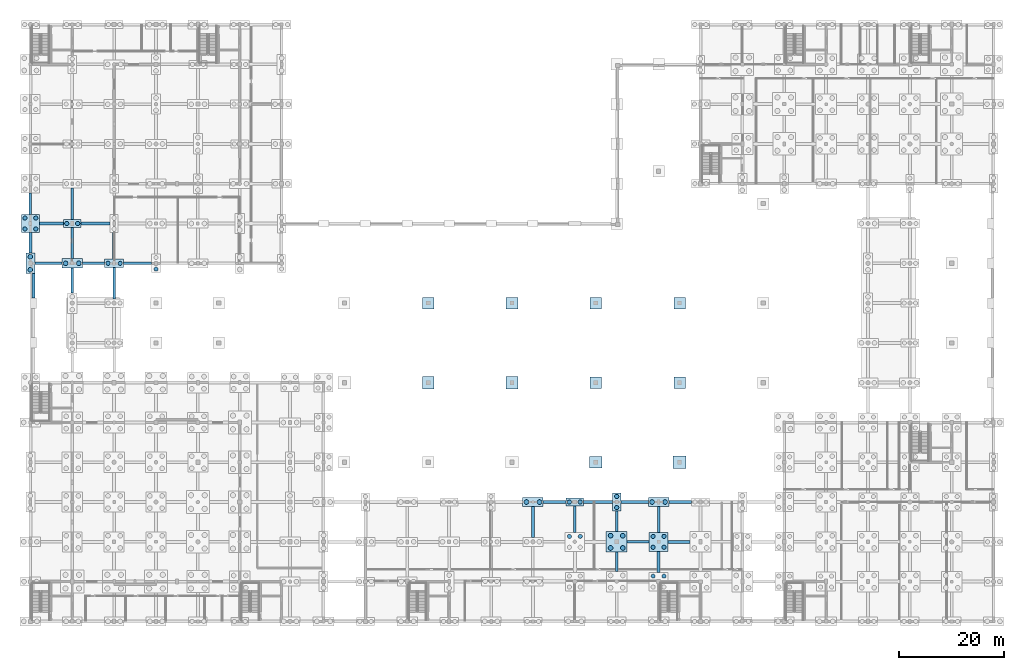
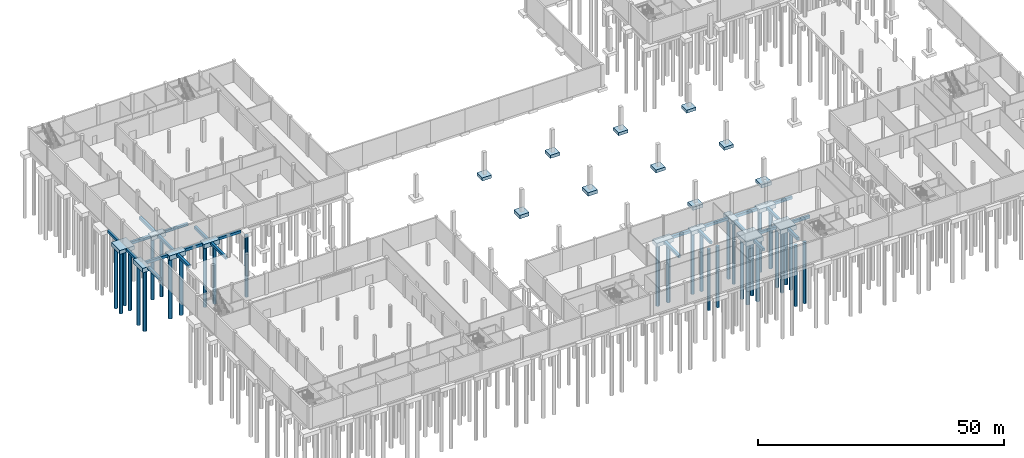
# One storey, part 7 of 44: 46 footings, 33 piles.
"""IFC4 building model written with IfcOpenShell, lengths in metres."""

import ifcopenshell
import ifcopenshell.guid

model = None  # the IFC model being written
_history = None  # IfcOwnerHistory: only IFC2X3 demands one
_inside = {}  # id of a spatial element -> (the spatial element, [elements in it])
_under = {}  # id of a project, library or spatial element -> (it, [spatial elements below it])
_declared = {}  # id of a project -> (the project, [libraries it declares])
_typed = {}  # id of a type object -> (the type object, [elements of that type])
_made_of = {}  # id of a material, layer set ... -> (it, [elements and type objects made of it])


def new_model(schema):
    """Start an empty IFC model of exactly this schema.

    Asked for "IFC4X3", IfcOpenShell would pick the latest addendum, in which some entities
    have other attributes; the version numbers below select the first issue.
    IFC2X3 requires an IfcOwnerHistory on every rooted entity: one is made here for all.
    """
    global model, _history
    if schema == "IFC4X3":
        model = ifcopenshell.file(schema_version=(4, 3, 0, 0))
    else:
        model = ifcopenshell.file(schema=schema)
    _inside.clear()
    _under.clear()
    _declared.clear()
    _typed.clear()
    _made_of.clear()
    _history = None
    if model.schema == "IFC2X3":
        org = make("IfcOrganization", Name="unknown")
        user = make(
            "IfcPersonAndOrganization",
            ThePerson=make("IfcPerson", FamilyName="unknown"),
            TheOrganization=org,
        )
        app = make(
            "IfcApplication",
            ApplicationDeveloper=org,
            Version="unknown",
            ApplicationFullName="unknown",
            ApplicationIdentifier="unknown",
        )
        _history = make(
            "IfcOwnerHistory",
            OwningUser=user,
            OwningApplication=app,
            ChangeAction="ADDED",
            CreationDate=0,
        )
    return model


def make(cls, **values):
    """One entity of the class cls with the attributes given. An attribute that is None is left unset."""
    return model.create_entity(
        cls, **{name: value for name, value in values.items() if value is not None}
    )


def rooted(cls, **values):
    """An entity with a GlobalId (a new one), such as an element, a storey or a relation."""
    return make(cls, GlobalId=ifcopenshell.guid.new(), OwnerHistory=_history, **values)


def si_unit(unit_type, name, prefix=None):
    """IfcSIUnit, for example si_unit("LENGTHUNIT", "METRE", prefix="MILLI")."""
    return make("IfcSIUnit", UnitType=unit_type, Prefix=prefix, Name=name)


def assignment(units):
    """IfcUnitAssignment: the units of a project."""
    return None if units is None else make("IfcUnitAssignment", Units=units)


def point(xyz):
    """IfcCartesianPoint."""
    return None if xyz is None else make("IfcCartesianPoint", Coordinates=xyz)


def direction(xyz):
    """IfcDirection."""
    return None if xyz is None else make("IfcDirection", DirectionRatios=xyz)


def frame(location, z_axis=None, x_axis=None):
    """IfcAxis2Placement3D, a coordinate frame: its origin and axes. An axis left out is left unset."""
    return make(
        "IfcAxis2Placement3D",
        Location=point(location),
        Axis=direction(z_axis),
        RefDirection=direction(x_axis),
    )


def frame_2d(location, x_axis=None):
    """IfcAxis2Placement2D, a coordinate frame in the plane: its origin and x axis."""
    return make(
        "IfcAxis2Placement2D", Location=point(location), RefDirection=direction(x_axis)
    )


def origin():
    """The frame at (0, 0, 0) with its axes left unset."""
    return frame((0.0, 0.0, 0.0))


def origin_2d():
    """The frame at (0, 0) in the plane with its x axis left unset."""
    return frame_2d((0.0, 0.0))


def place(relative_to, where):
    """IfcLocalPlacement: puts the frame where relative to a parent placement (None: the world)."""
    return make(
        "IfcLocalPlacement", PlacementRelTo=relative_to, RelativePlacement=where
    )


def context(
    kind, dimensions, precision=None, world=None, true_north=None, identifier=None
):
    """IfcGeometricRepresentationContext, for example the 3D "Model" context."""
    return make(
        "IfcGeometricRepresentationContext",
        ContextIdentifier=identifier,
        ContextType=kind,
        CoordinateSpaceDimension=dimensions,
        Precision=precision,
        WorldCoordinateSystem=world,
        TrueNorth=true_north,
    )


def subcontext(parent, identifier, kind, view, scale=None):
    """IfcGeometricRepresentationSubContext, for example "Body" below "Model"."""
    return make(
        "IfcGeometricRepresentationSubContext",
        ContextIdentifier=identifier,
        ContextType=kind,
        ParentContext=parent,
        TargetScale=scale,
        TargetView=view,
    )


def project(units=None, contexts=None):
    """IfcProject with its units and contexts."""
    return rooted(
        "IfcProject",
        Name="project",
        RepresentationContexts=contexts,
        UnitsInContext=assignment(units),
    )


def spatial(cls, under=None, at=None, **own):
    """A site, building, storey or space (cls), placed at a placement, below another one or the project."""
    s = rooted(cls, ObjectPlacement=at, **own)
    if under is not None:
        _under.setdefault(under.id(), (under, []))[1].append(s)
    return s


def polyline(points):
    """IfcPolyline through the points."""
    return make("IfcPolyline", Points=[point(p) for p in points])


def profile(cls, at=None, kind="AREA", **sizes):
    """A parametric profile (cls). Its sizes go by their IFC names, for example OverallWidth=200.0."""
    return make(cls, ProfileType=kind, Position=at, **sizes)


def circle(**sizes):
    """IfcCircleProfileDef."""
    return profile("IfcCircleProfileDef", **sizes)


def outline(outer, holes=None, kind="AREA"):
    """IfcArbitraryClosedProfileDef: a profile drawn as a closed curve; with holes, ...WithVoids."""
    if holes is None:
        return make("IfcArbitraryClosedProfileDef", ProfileType=kind, OuterCurve=outer)
    return make(
        "IfcArbitraryProfileDefWithVoids",
        ProfileType=kind,
        OuterCurve=outer,
        InnerCurves=holes,
    )


def extrude(swept, where, along, depth):
    """IfcExtrudedAreaSolid: the profile swept, set in the frame where, extruded along a direction by depth."""
    return make(
        "IfcExtrudedAreaSolid",
        SweptArea=swept,
        Position=where,
        ExtrudedDirection=direction(along),
        Depth=depth,
    )


def shape(context_of_items, identifier, shape_type, items):
    """IfcShapeRepresentation: the items that make up one representation, for example the "Body"."""
    return make(
        "IfcShapeRepresentation",
        ContextOfItems=context_of_items,
        RepresentationIdentifier=identifier,
        RepresentationType=shape_type,
        Items=items,
    )


def material(Name=None, Category=None):
    """IfcMaterial."""
    return make("IfcMaterial", Name=Name, Category=Category)


def material_profile(
    of_material, cross_section, Name=None, Category=None, Priority=None
):
    """IfcMaterialProfile: a cross section and its material."""
    return make(
        "IfcMaterialProfile",
        Name=Name,
        Material=of_material,
        Profile=cross_section,
        Priority=Priority,
        Category=Category,
    )


def profile_set(profiles, Name=None, composite=None):
    """IfcMaterialProfileSet."""
    return make(
        "IfcMaterialProfileSet",
        Name=Name,
        MaterialProfiles=profiles,
        CompositeProfile=composite,
    )


def made_of(thing, what):
    """Note that an element or type object is made of a material, layer set ...; save() writes the relation."""
    if what is not None:
        _made_of.setdefault(what.id(), (what, []))[1].append(thing)
    return thing


def type_object(cls, material=None, **own):
    """A type object (cls), such as IfcWallType, which elements share."""
    return made_of(rooted(cls, **own), material)


def element(
    cls,
    number,
    at=None,
    inside=None,
    cuts=None,
    type_object=None,
    material=None,
    context=None,
    identifier="Body",
    shape_type=None,
    held_by="IfcProductDefinitionShape",
    body=None,
    shapes=None,
    **own,
):
    """One element of the class cls, such as IfcWall. Its Tag is "e" and its number.

    at: its placement. inside: the storey or other place that contains it. cuts: it is an
    opening in that element (IfcRelVoidsElement). A single representation is given by context,
    identifier, shape_type and body (its items); several are given by shapes. held_by: the class
    of the entity that holds the representations. save() writes the other relations.
    """
    e = rooted(cls, Tag="e%d" % number, ObjectPlacement=at, **own)
    if body is not None:
        shapes = [shape(context, identifier, shape_type, body)]
    if shapes is not None:
        e.Representation = make(held_by, Representations=shapes)
    if inside is not None:
        _inside.setdefault(inside.id(), (inside, []))[1].append(e)
    if cuts is not None:
        rooted(
            "IfcRelVoidsElement", RelatingBuildingElement=cuts, RelatedOpeningElement=e
        )
    if type_object is not None:
        _typed.setdefault(type_object.id(), (type_object, []))[1].append(e)
    return made_of(e, material)


def aggregate(whole, parts):
    """IfcRelAggregates: a whole, such as a stair, and the parts it consists of."""
    return rooted("IfcRelAggregates", RelatingObject=whole, RelatedObjects=parts)


def save(model, path):
    """Write the relations noted so far, then the file.

    IfcRelAggregates (storeys below a building ...), IfcRelContainedInSpatialStructure (elements
    in a storey), IfcRelDefinesByType, IfcRelAssociatesMaterial and IfcRelDeclares: one each for
    every whole, place, type object, material and project.
    """
    for whole, parts in _under.values():
        aggregate(whole, parts)
    for where, things in _inside.values():
        rooted(
            "IfcRelContainedInSpatialStructure",
            RelatedElements=things,
            RelatingStructure=where,
        )
    for kind, things in _typed.values():
        rooted("IfcRelDefinesByType", RelatedObjects=things, RelatingType=kind)
    for what, things in _made_of.values():
        rooted("IfcRelAssociatesMaterial", RelatedObjects=things, RelatingMaterial=what)
    for by, libraries in _declared.values():
        rooted("IfcRelDeclares", RelatingContext=by, RelatedDefinitions=libraries)
    model.write(path)


model = new_model("IFC4")

# Units and contexts
model_context = context("Model", 3, precision=1e-05, world=origin(), true_north=direction((0.0, 1.0)))
body_context = subcontext(model_context, "Body", "Model", "MODEL_VIEW")
ifc_project = project(units=[si_unit("LENGTHUNIT", "METRE"), si_unit("AREAUNIT", "SQUARE_METRE"), si_unit("VOLUMEUNIT", "CUBIC_METRE"), si_unit("PLANEANGLEUNIT", "RADIAN"), si_unit("MASSUNIT", "GRAM", prefix="KILO")], contexts=[model_context])

# Site, building, storey
site_placement = place(None, origin())
site = spatial("IfcSite", under=ifc_project, at=site_placement, CompositionType="ELEMENT")
building_placement = place(site_placement, origin())
building = spatial("IfcBuilding", under=site, at=building_placement, Name="Khelvaren Railside Concert Hall", CompositionType="ELEMENT")
storey_placement = place(building_placement, frame((0.0, 0.0, -5.39990234375)))
storey = spatial("IfcBuildingStorey", under=building, at=storey_placement, Name="B1", CompositionType="ELEMENT", Elevation=-5.39990234375)

# Piles
ifc_material = material(Name="Concrete C35/45", Category="concrete")
ifc_material_profile_1 = material_profile(ifc_material, circle(Radius=0.449951171875, at=origin_2d()), Name="BP D900")
ifc_profile_set_1 = profile_set([ifc_material_profile_1], Name="Concrete C35/45")
pile_type_1 = type_object("IfcPileType", Name="BP51", PredefinedType="BORED", material=ifc_profile_set_1)
for number, where, z_axis, x_axis, name in (
    (1, (0.0, 67.159912109375, -1.5), (0.0, 0.0, -1.0), (1.0, 0.0, 0.0), "Bored Pile BP51 PC-V4-007-1"),
    (2, (0.0, 69.639892578125, -1.5), (0.0, 0.0, -1.0), (1.0, 0.0, 0.0), "Bored Pile BP51 PC-V4-007-2"),
    (3, (6.72998046875, 68.39990234375, -1.5), (0.0, 0.0, -1.0), (1.0, 0.0, 0.0), "Bored Pile BP51 PC-V4-023-1"),
    (4, (9.27001953125, 68.39990234375, -1.5), (0.0, 0.0, -1.0), (1.0, 0.0, 0.0), "Bored Pile BP51 PC-V4-023-2"),
):
    element("IfcPile", number, at=place(storey_placement, frame(where, z_axis=z_axis, x_axis=x_axis)), inside=storey, type_object=pile_type_1, Name=name, PredefinedType="BORED", context=body_context, shape_type="SweptSolid", body=[
        extrude(circle(Radius=0.449951171875, at=origin_2d()), origin(), (0.0, 0.0, 1.0), 15.10009765625),
    ])
for number, where, z_axis, x_axis, name in (
    (5, (94.75, 22.800048828125, -1.35009765625), (0.0, 0.0, -1.0), (1.0, 0.0, 0.0), "Bored Pile BP51 PC-V3-128-1"),
    (6, (97.25, 22.800048828125, -1.35009765625), (0.0, 0.0, -1.0), (1.0, 0.0, 0.0), "Bored Pile BP51 PC-V3-128-2"),
):
    element("IfcPile", number, at=place(storey_placement, frame(where, z_axis=z_axis, x_axis=x_axis)), inside=storey, type_object=pile_type_1, Name=name, PredefinedType="BORED", context=body_context, shape_type="SweptSolid", body=[
        extrude(circle(Radius=0.449951171875, at=origin_2d()), origin(), (0.0, 0.0, 1.0), 15.25),
    ])
for number, where, z_axis, x_axis, name in (
    (7, (110.830078125, 14.030029296875, -1.5), (0.0, 0.0, -1.0), (1.0, 0.0, 0.0), "Bored Pile BP51 PC-V3-135-1"),
    (8, (113.169921875, 14.030029296875, -1.5), (0.0, 0.0, -1.0), (1.0, 0.0, 0.0), "Bored Pile BP51 PC-V3-135-2"),
    (9, (110.830078125, 16.3701171875, -1.5), (0.0, 0.0, -1.0), (1.0, 0.0, 0.0), "Bored Pile BP51 PC-V3-135-3"),
    (10, (113.169921875, 16.3701171875, -1.5), (0.0, 0.0, -1.0), (1.0, 0.0, 0.0), "Bored Pile BP51 PC-V3-135-4"),
):
    element("IfcPile", number, at=place(storey_placement, frame(where, z_axis=z_axis, x_axis=x_axis)), inside=storey, type_object=pile_type_1, Name=name, PredefinedType="BORED", context=body_context, shape_type="SweptSolid", body=[
        extrude(circle(Radius=0.449951171875, at=origin_2d()), origin(), (0.0, 0.0, 1.0), 15.10009765625),
    ])
for number, where, z_axis, x_axis, name in (
    (11, (118.75, 22.800048828125, -1.35009765625), (0.0, 0.0, -1.0), (1.0, 0.0, 0.0), "Bored Pile BP51 PC-V3-140-1"),
    (12, (121.25, 22.800048828125, -1.35009765625), (0.0, 0.0, -1.0), (1.0, 0.0, 0.0), "Bored Pile BP51 PC-V3-140-2"),
):
    element("IfcPile", number, at=place(storey_placement, frame(where, z_axis=z_axis, x_axis=x_axis)), inside=storey, type_object=pile_type_1, Name=name, PredefinedType="BORED", context=body_context, shape_type="SweptSolid", body=[
        extrude(circle(Radius=0.449951171875, at=origin_2d()), origin(), (0.0, 0.0, 1.0), 15.25),
    ])
ifc_material_profile_2 = material_profile(ifc_material, circle(Radius=0.39990234375, at=origin_2d()), Name="BP D800")
ifc_profile_set_2 = profile_set([ifc_material_profile_2], Name="Concrete C35/45")
pile_type_2 = type_object("IfcPileType", Name="BP84", PredefinedType="BORED", material=ifc_profile_set_2)
for number, where, z_axis, x_axis, name in (
    (13, (-1.0400390625, 74.9599609375, -1.35009765625), (0.0, 0.0, -1.0), (1.0, 0.0, 0.0), "Bored Pile BP84 PC-V4-008-1"),
    (14, (1.0400390625, 74.9599609375, -1.35009765625), (0.0, 0.0, -1.0), (1.0, 0.0, 0.0), "Bored Pile BP84 PC-V4-008-2"),
    (15, (-1.0400390625, 77.0400390625, -1.35009765625), (0.0, 0.0, -1.0), (1.0, 0.0, 0.0), "Bored Pile BP84 PC-V4-008-3"),
    (16, (1.0400390625, 77.0400390625, -1.35009765625), (0.0, 0.0, -1.0), (1.0, 0.0, 0.0), "Bored Pile BP84 PC-V4-008-4"),
    (17, (6.9599609375, 76.0, -1.35009765625), (0.0, 0.0, -1.0), (1.0, 0.0, 0.0), "Bored Pile BP84 PC-V4-024-1"),
    (18, (9.0400390625, 76.0, -1.35009765625), (0.0, 0.0, -1.0), (1.0, 0.0, 0.0), "Bored Pile BP84 PC-V4-024-2"),
):
    element("IfcPile", number, at=place(storey_placement, frame(where, z_axis=z_axis, x_axis=x_axis)), inside=storey, type_object=pile_type_2, Name=name, PredefinedType="BORED", context=body_context, shape_type="SweptSolid", body=[
        extrude(circle(Radius=0.39990234375, at=origin_2d()), origin(), (0.0, 0.0, 1.0), 15.25),
    ])
for number, where, z_axis, x_axis, name in (
    (19, (14.840087890625, 68.39990234375, -1.5), (0.0, 0.0, -1.0), (1.0, 0.0, 0.0), "Bored Pile BP84 PC-V4-039-1"),
    (20, (17.159912109375, 68.39990234375, -1.5), (0.0, 0.0, -1.0), (1.0, 0.0, 0.0), "Bored Pile BP84 PC-V4-039-2"),
):
    element("IfcPile", number, at=place(storey_placement, frame(where, z_axis=z_axis, x_axis=x_axis)), inside=storey, type_object=pile_type_2, Name=name, PredefinedType="BORED", context=body_context, shape_type="SweptSolid", body=[
        extrude(circle(Radius=0.39990234375, at=origin_2d()), origin(), (0.0, 0.0, 1.0), 15.10009765625),
    ])
pile_placement = place(storey_placement, frame((24.0, 67.2900390625, -1.400146484375), z_axis=(0.0, 0.0, -1.0), x_axis=(1.0, 0.0, 0.0)))
element("IfcPile", 21, at=pile_placement, inside=storey, type_object=pile_type_2, Name="Bored Pile BP84 PC-V4-053-1", PredefinedType="BORED", context=body_context, shape_type="SweptSolid", body=[
    extrude(circle(Radius=0.39990234375, at=origin_2d()), origin(), (0.0, 0.0, 1.0), 15.199951171875),
])
for number, where, z_axis, x_axis, name in (
    (22, (102.9599609375, 16.239990234375, -1.5), (0.0, 0.0, -1.0), (1.0, 0.0, 0.0), "Bored Pile BP84 PC-V3-131-3"),
    (23, (105.0400390625, 16.239990234375, -1.5), (0.0, 0.0, -1.0), (1.0, 0.0, 0.0), "Bored Pile BP84 PC-V3-131-4"),
):
    element("IfcPile", number, at=place(storey_placement, frame(where, z_axis=z_axis, x_axis=x_axis)), inside=storey, type_object=pile_type_2, Name=name, PredefinedType="BORED", context=body_context, shape_type="SweptSolid", body=[
        extrude(circle(Radius=0.39990234375, at=origin_2d()), origin(), (0.0, 0.0, 1.0), 15.10009765625),
    ])
for number, where, z_axis, x_axis, name in (
    (24, (102.9599609375, 22.800048828125, -1.35009765625), (0.0, 0.0, -1.0), (1.0, 0.0, 0.0), "Bored Pile BP84 PC-V3-132-1"),
    (25, (105.0400390625, 22.800048828125, -1.35009765625), (0.0, 0.0, -1.0), (1.0, 0.0, 0.0), "Bored Pile BP84 PC-V3-132-2"),
    (26, (112.0, 21.739990234375, -1.35009765625), (0.0, 0.0, -1.0), (1.0, 0.0, 0.0), "Bored Pile BP84 PC-V3-136-1"),
    (27, (112.0, 23.860107421875, -1.35009765625), (0.0, 0.0, -1.0), (1.0, 0.0, 0.0), "Bored Pile BP84 PC-V3-136-2"),
):
    element("IfcPile", number, at=place(storey_placement, frame(where, z_axis=z_axis, x_axis=x_axis)), inside=storey, type_object=pile_type_2, Name=name, PredefinedType="BORED", context=body_context, shape_type="SweptSolid", body=[
        extrude(circle(Radius=0.39990234375, at=origin_2d()), origin(), (0.0, 0.0, 1.0), 15.25),
    ])
for number, where, z_axis, x_axis, name in (
    (28, (118.9599609375, 8.639892578125, -1.4501953125), (0.0, 0.0, -1.0), (1.0, 0.0, 0.0), "Bored Pile BP84 PC-V3-138-3"),
    (29, (121.0400390625, 8.639892578125, -1.4501953125), (0.0, 0.0, -1.0), (1.0, 0.0, 0.0), "Bored Pile BP84 PC-V3-138-4"),
):
    element("IfcPile", number, at=place(storey_placement, frame(where, z_axis=z_axis, x_axis=x_axis)), inside=storey, type_object=pile_type_2, Name=name, PredefinedType="BORED", context=body_context, shape_type="SweptSolid", body=[
        extrude(circle(Radius=0.39990234375, at=origin_2d()), origin(), (0.0, 0.0, 1.0), 15.14990234375),
    ])
for number, where, z_axis, x_axis, name in (
    (30, (118.9599609375, 14.159912109375, -1.5), (0.0, 0.0, -1.0), (1.0, 0.0, 0.0), "Bored Pile BP84 PC-V3-139-1"),
    (31, (121.0400390625, 14.159912109375, -1.5), (0.0, 0.0, -1.0), (1.0, 0.0, 0.0), "Bored Pile BP84 PC-V3-139-2"),
    (32, (118.9599609375, 16.239990234375, -1.5), (0.0, 0.0, -1.0), (1.0, 0.0, 0.0), "Bored Pile BP84 PC-V3-139-3"),
    (33, (121.0400390625, 16.239990234375, -1.5), (0.0, 0.0, -1.0), (1.0, 0.0, 0.0), "Bored Pile BP84 PC-V3-139-4"),
):
    element("IfcPile", number, at=place(storey_placement, frame(where, z_axis=z_axis, x_axis=x_axis)), inside=storey, type_object=pile_type_2, Name=name, PredefinedType="BORED", context=body_context, shape_type="SweptSolid", body=[
        extrude(circle(Radius=0.39990234375, at=origin_2d()), origin(), (0.0, 0.0, 1.0), 15.10009765625),
    ])

# Footings
footing_type_1 = type_object("IfcFootingType", Name="GB49", PredefinedType="FOOTING_BEAM", material=ifc_material)
footing_1_placement = place(storey_placement, frame((0.0, 0.0, -1.150146484375)))
element("IfcFooting", 34, at=footing_1_placement, inside=storey, type_object=footing_type_1, Name="Ground Tie Beam GB49 61", PredefinedType="FOOTING_BEAM", context=body_context, shape_type="SweptSolid", body=[
    extrude(outline(polyline([(114.0, 14.949951171875), (118.159912109375, 14.949951171875), (118.159912109375, 15.449951171875), (114.0, 15.449951171875), (114.0, 14.949951171875)])), origin(), (0.0, 0.0, 1.0), 0.650146484375),
])
footing_2_placement = place(storey_placement, frame((0.0, 0.0, -1.150146484375)))
element("IfcFooting", 35, at=footing_2_placement, inside=storey, type_object=footing_type_1, Name="Ground Tie Beam GB49 83", PredefinedType="FOOTING_BEAM", context=body_context, shape_type="SweptSolid", body=[
    extrude(outline(polyline([(105.699951171875, 22.550048828125), (111.22509765625, 22.550048828125), (111.22509765625, 23.050048828125), (105.699951171875, 23.050048828125), (105.699951171875, 22.550048828125)])), origin(), (0.0, 0.0, 1.0), 0.650146484375),
])
footing_3_placement = place(storey_placement, frame((0.0, 0.0, -1.150146484375)))
element("IfcFooting", 36, at=footing_3_placement, inside=storey, type_object=footing_type_1, Name="Ground Tie Beam GB49 85", PredefinedType="FOOTING_BEAM", context=body_context, shape_type="SweptSolid", body=[
    extrude(outline(polyline([(121.9599609375, 22.550048828125), (126.300048828125, 22.550048828125), (126.300048828125, 23.050048828125), (121.9599609375, 23.050048828125), (121.9599609375, 22.550048828125)])), origin(), (0.0, 0.0, 1.0), 0.650146484375),
])
footing_4_placement = place(storey_placement, frame((0.0, 0.0, -1.150146484375)))
element("IfcFooting", 37, at=footing_4_placement, inside=storey, type_object=footing_type_1, Name="Ground Tie Beam GB49 129", PredefinedType="FOOTING_BEAM", context=body_context, shape_type="SweptSolid", body=[
    extrude(outline(polyline([(0.875, 68.14990234375), (6.02001953125, 68.14990234375), (6.02001953125, 68.64990234375), (0.875, 68.64990234375), (0.875, 68.14990234375)])), origin(), (0.0, 0.0, 1.0), 0.650146484375),
])
footing_5_placement = place(storey_placement, frame((0.0, 0.0, -1.150146484375)))
element("IfcFooting", 38, at=footing_5_placement, inside=storey, type_object=footing_type_1, Name="Ground Tie Beam GB49 131", PredefinedType="FOOTING_BEAM", context=body_context, shape_type="SweptSolid", body=[
    extrude(outline(polyline([(17.820068359375, 68.14990234375), (23.175048828125, 68.14990234375), (23.175048828125, 68.64990234375), (17.820068359375, 68.64990234375), (17.820068359375, 68.14990234375)])), origin(), (0.0, 0.0, 1.0), 0.650146484375),
])
footing_6_placement = place(storey_placement, frame((0.0, 0.0, -1.150146484375)))
element("IfcFooting", 39, at=footing_6_placement, inside=storey, type_object=footing_type_1, Name="Ground Tie Beam GB49 137", PredefinedType="FOOTING_BEAM", context=body_context, shape_type="SweptSolid", body=[
    extrude(outline(polyline([(9.699951171875, 75.75), (15.22509765625, 75.75), (15.22509765625, 76.25), (9.699951171875, 76.25), (9.699951171875, 75.75)])), origin(), (0.0, 0.0, 1.0), 0.650146484375),
])
footing_7_placement = place(storey_placement, frame((0.0, 0.0, -1.150146484375)))
element("IfcFooting", 40, at=footing_7_placement, inside=storey, type_object=footing_type_1, Name="Ground Tie Beam GB49 215", PredefinedType="FOOTING_BEAM", context=body_context, shape_type="SweptSolid", body=[
    extrude(outline(polyline([(-0.25, 77.719970703125), (0.25, 77.719970703125), (0.25, 81.860107421875), (-0.25, 81.860107421875), (-0.25, 77.719970703125)])), origin(), (0.0, 0.0, 1.0), 0.650146484375),
])
footing_8_placement = place(storey_placement, frame((0.0, 0.0, -1.150146484375)))
element("IfcFooting", 41, at=footing_8_placement, inside=storey, type_object=footing_type_1, Name="Ground Tie Beam GB49 229", PredefinedType="FOOTING_BEAM", context=body_context, shape_type="SweptSolid", body=[
    extrude(outline(polyline([(7.75, 69.27490234375), (8.25, 69.27490234375), (8.25, 75.25), (7.75, 75.25), (7.75, 69.27490234375)])), origin(), (0.0, 0.0, 1.0), 0.650146484375),
])
footing_9_placement = place(storey_placement, frame((0.0, 0.0, -1.150146484375)))
element("IfcFooting", 42, at=footing_9_placement, inside=storey, type_object=footing_type_1, Name="Ground Tie Beam GB49 243", PredefinedType="FOOTING_BEAM", context=body_context, shape_type="SweptSolid", body=[
    extrude(outline(polyline([(15.75, 61.60009765625), (16.25, 61.60009765625), (16.25, 67.574951171875), (15.75, 67.574951171875), (15.75, 61.60009765625)])), origin(), (0.0, 0.0, 1.0), 0.650146484375),
])
footing_10_placement = place(storey_placement, frame((0.0, 0.0, -1.150146484375)))
element("IfcFooting", 43, at=footing_10_placement, inside=storey, type_object=footing_type_1, Name="Ground Tie Beam GB49 321", PredefinedType="FOOTING_BEAM", context=body_context, shape_type="SweptSolid", body=[
    extrude(outline(polyline([(103.75, 17.02001953125), (104.25, 17.02001953125), (104.25, 22.050048828125), (103.75, 22.050048828125), (103.75, 17.02001953125)])), origin(), (0.0, 0.0, 1.0), 0.650146484375),
])
footing_11_placement = place(storey_placement, frame((0.0, 0.0, -1.150146484375)))
element("IfcFooting", 44, at=footing_11_placement, inside=storey, type_object=footing_type_1, Name="Ground Tie Beam GB49 323", PredefinedType="FOOTING_BEAM", context=body_context, shape_type="SweptSolid", body=[
    extrude(outline(polyline([(111.75, 9.56005859375), (112.25, 9.56005859375), (112.25, 13.219970703125), (111.75, 13.219970703125), (111.75, 9.56005859375)])), origin(), (0.0, 0.0, 1.0), 0.650146484375),
])
footing_12_placement = place(storey_placement, frame((0.0, 0.0, -1.150146484375)))
element("IfcFooting", 45, at=footing_12_placement, inside=storey, type_object=footing_type_1, Name="Ground Tie Beam GB49 327", PredefinedType="FOOTING_BEAM", context=body_context, shape_type="SweptSolid", body=[
    extrude(outline(polyline([(119.75, 17.02001953125), (120.25, 17.02001953125), (120.25, 21.925048828125), (119.75, 21.925048828125), (119.75, 17.02001953125)])), origin(), (0.0, 0.0, 1.0), 0.650146484375),
])
footing_type_2 = type_object("IfcFootingType", Name="GB57", PredefinedType="FOOTING_BEAM", material=ifc_material)
footing_13_placement = place(storey_placement, frame((0.0, 0.0, -1.2001953125)))
element("IfcFooting", 46, at=footing_13_placement, inside=storey, type_object=footing_type_2, Name="Ground Tie Beam GB57 62", PredefinedType="FOOTING_BEAM", context=body_context, shape_type="SweptSolid", body=[
    extrude(outline(polyline([(121.840087890625, 14.925048828125), (126.0, 14.925048828125), (126.0, 15.47509765625), (121.840087890625, 15.47509765625), (121.840087890625, 14.925048828125)])), origin(), (0.0, 0.0, 1.0), 0.7001953125),
])
footing_14_placement = place(storey_placement, frame((0.0, 0.0, -1.2001953125)))
element("IfcFooting", 47, at=footing_14_placement, inside=storey, type_object=footing_type_2, Name="Ground Tie Beam GB57 82", PredefinedType="FOOTING_BEAM", context=body_context, shape_type="SweptSolid", body=[
    extrude(outline(polyline([(97.9599609375, 22.52490234375), (102.300048828125, 22.52490234375), (102.300048828125, 23.074951171875), (97.9599609375, 23.074951171875), (97.9599609375, 22.52490234375)])), origin(), (0.0, 0.0, 1.0), 0.7001953125),
])
footing_15_placement = place(storey_placement, frame((0.0, 0.0, -1.2001953125)))
element("IfcFooting", 48, at=footing_15_placement, inside=storey, type_object=footing_type_2, Name="Ground Tie Beam GB57 84", PredefinedType="FOOTING_BEAM", context=body_context, shape_type="SweptSolid", body=[
    extrude(outline(polyline([(112.77490234375, 22.52490234375), (118.0400390625, 22.52490234375), (118.0400390625, 23.074951171875), (112.77490234375, 23.074951171875), (112.77490234375, 22.52490234375)])), origin(), (0.0, 0.0, 1.0), 0.7001953125),
])
footing_16_placement = place(storey_placement, frame((0.0, 0.0, -1.2001953125)))
element("IfcFooting", 49, at=footing_16_placement, inside=storey, type_object=footing_type_2, Name="Ground Tie Beam GB57 130", PredefinedType="FOOTING_BEAM", context=body_context, shape_type="SweptSolid", body=[
    extrude(outline(polyline([(9.97998046875, 68.125), (14.179931640625, 68.125), (14.179931640625, 68.675048828125), (9.97998046875, 68.675048828125), (9.97998046875, 68.125)])), origin(), (0.0, 0.0, 1.0), 0.7001953125),
])
footing_17_placement = place(storey_placement, frame((0.0, 0.0, -1.2001953125)))
element("IfcFooting", 50, at=footing_17_placement, inside=storey, type_object=footing_type_2, Name="Ground Tie Beam GB57 136", PredefinedType="FOOTING_BEAM", context=body_context, shape_type="SweptSolid", body=[
    extrude(outline(polyline([(1.719970703125, 75.72509765625), (6.300048828125, 75.72509765625), (6.300048828125, 76.27490234375), (1.719970703125, 76.27490234375), (1.719970703125, 75.72509765625)])), origin(), (0.0, 0.0, 1.0), 0.7001953125),
])
footing_18_placement = place(storey_placement, frame((0.0, 0.0, -1.2001953125)))
element("IfcFooting", 51, at=footing_18_placement, inside=storey, type_object=footing_type_2, Name="Ground Tie Beam GB57 214", PredefinedType="FOOTING_BEAM", context=body_context, shape_type="SweptSolid", body=[
    extrude(outline(polyline([(-0.27490234375, 70.35009765625), (0.27490234375, 70.35009765625), (0.27490234375, 74.280029296875), (-0.27490234375, 74.280029296875), (-0.27490234375, 70.35009765625)])), origin(), (0.0, 0.0, 1.0), 0.7001953125),
])
footing_19_placement = place(storey_placement, frame((0.0, 0.0, -1.2001953125)))
element("IfcFooting", 52, at=footing_19_placement, inside=storey, type_object=footing_type_2, Name="Ground Tie Beam GB57 228", PredefinedType="FOOTING_BEAM", context=body_context, shape_type="SweptSolid", body=[
    extrude(outline(polyline([(7.72509765625, 62.75), (8.27490234375, 62.75), (8.27490234375, 67.52490234375), (7.72509765625, 67.52490234375), (7.72509765625, 62.75)])), origin(), (0.0, 0.0, 1.0), 0.7001953125),
])
footing_20_placement = place(storey_placement, frame((0.0, 0.0, -1.2001953125)))
element("IfcFooting", 53, at=footing_20_placement, inside=storey, type_object=footing_type_2, Name="Ground Tie Beam GB57 230", PredefinedType="FOOTING_BEAM", context=body_context, shape_type="SweptSolid", body=[
    extrude(outline(polyline([(7.72509765625, 76.75), (8.27490234375, 76.75), (8.27490234375, 82.824951171875), (7.72509765625, 82.824951171875), (7.72509765625, 76.75)])), origin(), (0.0, 0.0, 1.0), 0.7001953125),
])
footing_21_placement = place(storey_placement, frame((0.0, 0.0, -1.2001953125)))
element("IfcFooting", 54, at=footing_21_placement, inside=storey, type_object=footing_type_2, Name="Ground Tie Beam GB57 244", PredefinedType="FOOTING_BEAM", context=body_context, shape_type="SweptSolid", body=[
    extrude(outline(polyline([(15.72509765625, 69.22509765625), (16.27490234375, 69.22509765625), (16.27490234375, 74.280029296875), (15.72509765625, 74.280029296875), (15.72509765625, 69.22509765625)])), origin(), (0.0, 0.0, 1.0), 0.7001953125),
])
footing_22_placement = place(storey_placement, frame((0.0, 0.0, -1.2001953125)))
element("IfcFooting", 55, at=footing_22_placement, inside=storey, type_object=footing_type_2, Name="Ground Tie Beam GB57 318", PredefinedType="FOOTING_BEAM", context=body_context, shape_type="SweptSolid", body=[
    extrude(outline(polyline([(95.72509765625, 16.06005859375), (96.27490234375, 16.06005859375), (96.27490234375, 21.925048828125), (95.72509765625, 21.925048828125), (95.72509765625, 16.06005859375)])), origin(), (0.0, 0.0, 1.0), 0.7001953125),
])
footing_23_placement = place(storey_placement, frame((0.0, 0.0, -1.2001953125)))
element("IfcFooting", 56, at=footing_23_placement, inside=storey, type_object=footing_type_2, Name="Ground Tie Beam GB57 324", PredefinedType="FOOTING_BEAM", context=body_context, shape_type="SweptSolid", body=[
    extrude(outline(polyline([(111.72509765625, 17.179931640625), (112.27490234375, 17.179931640625), (112.27490234375, 21.080078125), (111.72509765625, 21.080078125), (111.72509765625, 17.179931640625)])), origin(), (0.0, 0.0, 1.0), 0.7001953125),
])
footing_24_placement = place(storey_placement, frame((0.0, 0.0, -1.2001953125)))
element("IfcFooting", 57, at=footing_24_placement, inside=storey, type_object=footing_type_2, Name="Ground Tie Beam GB57 326", PredefinedType="FOOTING_BEAM", context=body_context, shape_type="SweptSolid", body=[
    extrude(outline(polyline([(119.72509765625, 9.3798828125), (120.27490234375, 9.3798828125), (120.27490234375, 13.3798828125), (119.72509765625, 13.3798828125), (119.72509765625, 9.3798828125)])), origin(), (0.0, 0.0, 1.0), 0.7001953125),
])
footing_25_placement = place(storey_placement, frame((0.0, 0.0, -1.2001953125)))
element("IfcFooting", 58, at=footing_25_placement, inside=storey, type_object=footing_type_2, Name="Ground Tie Beam GB57 420", PredefinedType="FOOTING_BEAM", context=body_context, shape_type="SweptSolid", body=[
    extrude(outline(polyline([(0.324951171875, 61.800048828125), (0.875, 61.800048828125), (0.875, 66.449951171875), (0.324951171875, 66.449951171875), (0.324951171875, 61.800048828125)])), origin(), (0.0, 0.0, 1.0), 0.7001953125),
])
footing_type_3 = type_object("IfcFootingType", Name="PC23", PredefinedType="PILE_CAP", material=ifc_material)
footing_26_placement = place(storey_placement, frame((0.0, 0.0, -1.4501953125)))
element("IfcFooting", 59, at=footing_26_placement, inside=storey, type_object=footing_type_3, Name="Pile Cap PC23 (96.0,22.8)", PredefinedType="PILE_CAP", context=body_context, shape_type="SweptSolid", body=[
    extrude(outline(polyline([(94.0400390625, 21.925048828125), (97.9599609375, 21.925048828125), (97.9599609375, 23.675048828125), (94.0400390625, 23.675048828125), (94.0400390625, 21.925048828125)])), origin(), (0.0, 0.0, 1.0), 0.9501953125),
])
footing_27_placement = place(storey_placement, frame((0.0, 0.0, -1.4501953125)))
element("IfcFooting", 60, at=footing_27_placement, inside=storey, type_object=footing_type_3, Name="Pile Cap PC23 (120.0,22.8)", PredefinedType="PILE_CAP", context=body_context, shape_type="SweptSolid", body=[
    extrude(outline(polyline([(118.0400390625, 21.925048828125), (121.9599609375, 21.925048828125), (121.9599609375, 23.675048828125), (118.0400390625, 23.675048828125), (118.0400390625, 21.925048828125)])), origin(), (0.0, 0.0, 1.0), 0.9501953125),
])
footing_type_4 = type_object("IfcFootingType", Name="PC28", PredefinedType="PILE_CAP", material=ifc_material)
footing_28_placement = place(storey_placement, frame((0.0, 0.0, -1.60009765625)))
element("IfcFooting", 61, at=footing_28_placement, inside=storey, type_object=footing_type_4, Name="Pile Cap PC28 (8.0,68.4)", PredefinedType="PILE_CAP", context=body_context, shape_type="SweptSolid", body=[
    extrude(outline(polyline([(6.02001953125, 67.52490234375), (9.97998046875, 67.52490234375), (9.97998046875, 69.27490234375), (6.02001953125, 69.27490234375), (6.02001953125, 67.52490234375)])), origin(), (0.0, 0.0, 1.0), 1.10009765625),
])
footing_type_5 = type_object("IfcFootingType", Name="PC33", PredefinedType="PILE_CAP", material=ifc_material)
footing_29_placement = place(storey_placement, frame((0.0, 0.0, -1.60009765625)))
element("IfcFooting", 62, at=footing_29_placement, inside=storey, type_object=footing_type_5, Name="Pile Cap PC33 (16.0,68.4)", PredefinedType="PILE_CAP", context=body_context, shape_type="SweptSolid", body=[
    extrude(outline(polyline([(14.179931640625, 67.574951171875), (17.820068359375, 67.574951171875), (17.820068359375, 69.22509765625), (14.179931640625, 69.22509765625), (14.179931640625, 67.574951171875)])), origin(), (0.0, 0.0, 1.0), 1.10009765625),
])
footing_type_6 = type_object("IfcFootingType", Name="PC36", PredefinedType="PILE_CAP", material=ifc_material)
footing_30_placement = place(storey_placement, frame((0.0, 0.0, -1.4501953125)))
element("IfcFooting", 63, at=footing_30_placement, inside=storey, type_object=footing_type_6, Name="Pile Cap PC36 (0.0,76.0)", PredefinedType="PILE_CAP", context=body_context, shape_type="SweptSolid", body=[
    extrude(outline(polyline([(-1.719970703125, 74.280029296875), (1.719970703125, 74.280029296875), (1.719970703125, 77.719970703125), (-1.719970703125, 77.719970703125), (-1.719970703125, 74.280029296875)])), origin(), (0.0, 0.0, 1.0), 0.9501953125),
])
footing_type_7 = type_object("IfcFootingType", Name="PC42", PredefinedType="PILE_CAP", material=ifc_material)
footing_31_placement = place(storey_placement, frame((0.0, 0.0, -1.60009765625)))
element("IfcFooting", 64, at=footing_31_placement, inside=storey, type_object=footing_type_7, Name="Pile Cap PC42 (120.0,15.2)", PredefinedType="PILE_CAP", context=body_context, shape_type="SweptSolid", body=[
    extrude(outline(polyline([(118.159912109375, 13.3798828125), (121.840087890625, 13.3798828125), (121.840087890625, 17.02001953125), (118.159912109375, 17.02001953125), (118.159912109375, 13.3798828125)])), origin(), (0.0, 0.0, 1.0), 1.10009765625),
])
footing_type_8 = type_object("IfcFootingType", Name="PC51", PredefinedType="PILE_CAP", material=ifc_material)
footing_32_placement = place(storey_placement, frame((0.0, 0.0, -1.60009765625)))
element("IfcFooting", 65, at=footing_32_placement, inside=storey, type_object=footing_type_8, Name="Pile Cap PC51 (112.0,15.2)", PredefinedType="PILE_CAP", context=body_context, shape_type="SweptSolid", body=[
    extrude(outline(polyline([(110.0, 13.219970703125), (114.0, 13.219970703125), (114.0, 17.179931640625), (110.0, 17.179931640625), (110.0, 13.219970703125)])), origin(), (0.0, 0.0, 1.0), 1.10009765625),
])
footing_type_9 = type_object("IfcFootingType", Name="PC68", PredefinedType="PILE_CAP", material=ifc_material)
footing_33_placement = place(storey_placement, frame((0.0, 0.0, -1.4501953125)))
element("IfcFooting", 66, at=footing_33_placement, inside=storey, type_object=footing_type_9, Name="Pile Cap PC68 (8.0,76.0)", PredefinedType="PILE_CAP", context=body_context, shape_type="SweptSolid", body=[
    extrude(outline(polyline([(6.300048828125, 75.25), (9.699951171875, 75.25), (9.699951171875, 76.75), (6.300048828125, 76.75), (6.300048828125, 75.25)])), origin(), (0.0, 0.0, 1.0), 0.9501953125),
])
footing_34_placement = place(storey_placement, frame((0.0, 0.0, -1.4501953125)))
element("IfcFooting", 67, at=footing_34_placement, inside=storey, type_object=footing_type_9, Name="Pile Cap PC68 (104.0,22.8)", PredefinedType="PILE_CAP", context=body_context, shape_type="SweptSolid", body=[
    extrude(outline(polyline([(102.300048828125, 22.050048828125), (105.699951171875, 22.050048828125), (105.699951171875, 23.550048828125), (102.300048828125, 23.550048828125), (102.300048828125, 22.050048828125)])), origin(), (0.0, 0.0, 1.0), 0.9501953125),
])
footing_type_10 = type_object("IfcFootingType", Name="PC76", PredefinedType="PILE_CAP", material=ifc_material)
footing_35_placement = place(storey_placement, frame((0.0, 0.0, -1.60009765625)))
element("IfcFooting", 68, at=footing_35_placement, inside=storey, type_object=footing_type_10, Name="Pile Cap PC76 (0.0,68.4)", PredefinedType="PILE_CAP", context=body_context, shape_type="SweptSolid", body=[
    extrude(outline(polyline([(-0.875, 66.449951171875), (0.875, 66.449951171875), (0.875, 70.35009765625), (-0.875, 70.35009765625), (-0.875, 66.449951171875)])), origin(), (0.0, 0.0, 1.0), 1.10009765625),
])
footing_type_11 = type_object("IfcFootingType", Name="PC94", PredefinedType="PILE_CAP", material=ifc_material)
footing_36_placement = place(storey_placement, frame((0.0, 0.0, -1.4501953125)))
element("IfcFooting", 69, at=footing_36_placement, inside=storey, type_object=footing_type_11, Name="Pile Cap PC94 (112.0,22.8)", PredefinedType="PILE_CAP", context=body_context, shape_type="SweptSolid", body=[
    extrude(outline(polyline([(111.22509765625, 21.080078125), (112.77490234375, 21.080078125), (112.77490234375, 24.52001953125), (111.22509765625, 24.52001953125), (111.22509765625, 21.080078125)])), origin(), (0.0, 0.0, 1.0), 0.9501953125),
])
footing_type_12 = type_object("IfcFootingType", Name="PF27", PredefinedType="PAD_FOOTING", material=ifc_material)
footing_37_placement = place(storey_placement, frame((0.0, 0.0, -1.35009765625)))
element("IfcFooting", 70, at=footing_37_placement, inside=storey, type_object=footing_type_12, Name="Pad Footing PF27 7", PredefinedType="PAD_FOOTING", context=body_context, shape_type="SweptSolid", body=[
    extrude(outline(polyline([(74.89990234375, 44.39990234375), (77.10009765625, 44.39990234375), (77.10009765625, 46.800048828125), (74.89990234375, 46.800048828125), (74.89990234375, 44.39990234375)])), origin(), (0.0, 0.0, 1.0), 0.85009765625),
])
footing_38_placement = place(storey_placement, frame((0.0, 0.0, -1.35009765625)))
element("IfcFooting", 71, at=footing_38_placement, inside=storey, type_object=footing_type_12, Name="Pad Footing PF27 8", PredefinedType="PAD_FOOTING", context=body_context, shape_type="SweptSolid", body=[
    extrude(outline(polyline([(90.89990234375, 44.39990234375), (93.10009765625, 44.39990234375), (93.10009765625, 46.800048828125), (90.89990234375, 46.800048828125), (90.89990234375, 44.39990234375)])), origin(), (0.0, 0.0, 1.0), 0.85009765625),
])
footing_type_13 = type_object("IfcFootingType", Name="PF31", PredefinedType="PAD_FOOTING", material=ifc_material)
footing_39_placement = place(storey_placement, frame((0.0, 0.0, -1.25)))
element("IfcFooting", 72, at=footing_39_placement, inside=storey, type_object=footing_type_13, Name="Pad Footing PF31 9", PredefinedType="PAD_FOOTING", context=body_context, shape_type="SweptSolid", body=[
    extrude(outline(polyline([(106.89990234375, 44.5), (109.10009765625, 44.5), (109.10009765625, 46.699951171875), (106.89990234375, 46.699951171875), (106.89990234375, 44.5)])), origin(), (0.0, 0.0, 1.0), 0.75),
])
footing_40_placement = place(storey_placement, frame((0.0, 0.0, -1.25)))
element("IfcFooting", 73, at=footing_40_placement, inside=storey, type_object=footing_type_13, Name="Pad Footing PF31 10", PredefinedType="PAD_FOOTING", context=body_context, shape_type="SweptSolid", body=[
    extrude(outline(polyline([(122.89990234375, 44.5), (125.10009765625, 44.5), (125.10009765625, 46.699951171875), (122.89990234375, 46.699951171875), (122.89990234375, 44.5)])), origin(), (0.0, 0.0, 1.0), 0.75),
])
footing_41_placement = place(storey_placement, frame((0.0, 0.0, -1.25)))
element("IfcFooting", 74, at=footing_41_placement, inside=storey, type_object=footing_type_13, Name="Pad Footing PF31 13", PredefinedType="PAD_FOOTING", context=body_context, shape_type="SweptSolid", body=[
    extrude(outline(polyline([(74.89990234375, 59.699951171875), (77.10009765625, 59.699951171875), (77.10009765625, 61.89990234375), (74.89990234375, 61.89990234375), (74.89990234375, 59.699951171875)])), origin(), (0.0, 0.0, 1.0), 0.75),
])
footing_42_placement = place(storey_placement, frame((0.0, 0.0, -1.25)))
element("IfcFooting", 75, at=footing_42_placement, inside=storey, type_object=footing_type_13, Name="Pad Footing PF31 14", PredefinedType="PAD_FOOTING", context=body_context, shape_type="SweptSolid", body=[
    extrude(outline(polyline([(90.89990234375, 59.699951171875), (93.10009765625, 59.699951171875), (93.10009765625, 61.89990234375), (90.89990234375, 61.89990234375), (90.89990234375, 59.699951171875)])), origin(), (0.0, 0.0, 1.0), 0.75),
])
footing_43_placement = place(storey_placement, frame((0.0, 0.0, -1.25)))
element("IfcFooting", 76, at=footing_43_placement, inside=storey, type_object=footing_type_13, Name="Pad Footing PF31 15", PredefinedType="PAD_FOOTING", context=body_context, shape_type="SweptSolid", body=[
    extrude(outline(polyline([(106.89990234375, 59.699951171875), (109.10009765625, 59.699951171875), (109.10009765625, 61.89990234375), (106.89990234375, 61.89990234375), (106.89990234375, 59.699951171875)])), origin(), (0.0, 0.0, 1.0), 0.75),
])
footing_44_placement = place(storey_placement, frame((0.0, 0.0, -1.25)))
element("IfcFooting", 77, at=footing_44_placement, inside=storey, type_object=footing_type_13, Name="Pad Footing PF31 16", PredefinedType="PAD_FOOTING", context=body_context, shape_type="SweptSolid", body=[
    extrude(outline(polyline([(122.89990234375, 59.699951171875), (125.10009765625, 59.699951171875), (125.10009765625, 61.89990234375), (122.89990234375, 61.89990234375), (122.89990234375, 59.699951171875)])), origin(), (0.0, 0.0, 1.0), 0.75),
])
footing_type_14 = type_object("IfcFootingType", Name="PF37", PredefinedType="PAD_FOOTING", material=ifc_material)
footing_45_placement = place(storey_placement, frame((0.0, 0.0, -1.300048828125)))
element("IfcFooting", 78, at=footing_45_placement, inside=storey, type_object=footing_type_14, Name="Pad Footing PF37 4", PredefinedType="PAD_FOOTING", context=body_context, shape_type="SweptSolid", body=[
    extrude(outline(polyline([(106.800048828125, 29.300048828125), (109.199951171875, 29.300048828125), (109.199951171875, 31.5), (106.800048828125, 31.5), (106.800048828125, 29.300048828125)])), origin(), (0.0, 0.0, 1.0), 0.800048828125),
])
footing_type_15 = type_object("IfcFootingType", Name="PF46", PredefinedType="PAD_FOOTING", material=ifc_material)
footing_46_placement = place(storey_placement, frame((0.0, 0.0, -1.300048828125)))
element("IfcFooting", 79, at=footing_46_placement, inside=storey, type_object=footing_type_15, Name="Pad Footing PF46 5", PredefinedType="PAD_FOOTING", context=body_context, shape_type="SweptSolid", body=[
    extrude(outline(polyline([(122.800048828125, 29.199951171875), (125.199951171875, 29.199951171875), (125.199951171875, 31.60009765625), (122.800048828125, 31.60009765625), (122.800048828125, 29.199951171875)])), origin(), (0.0, 0.0, 1.0), 0.800048828125),
])

save(model, "model.ifc")
